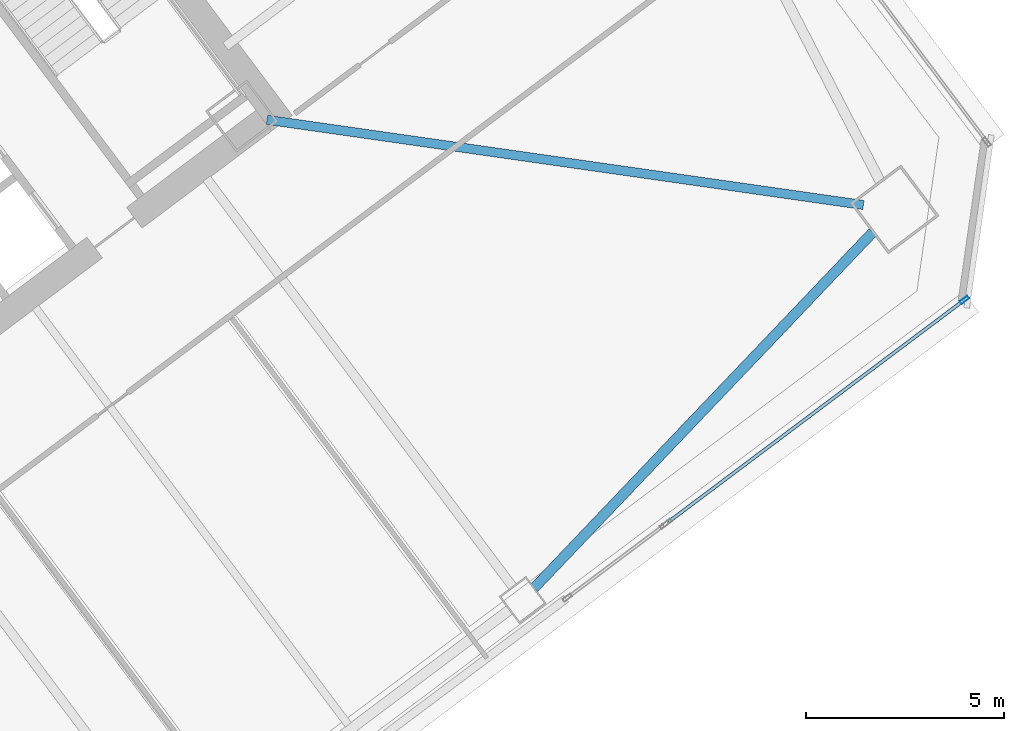
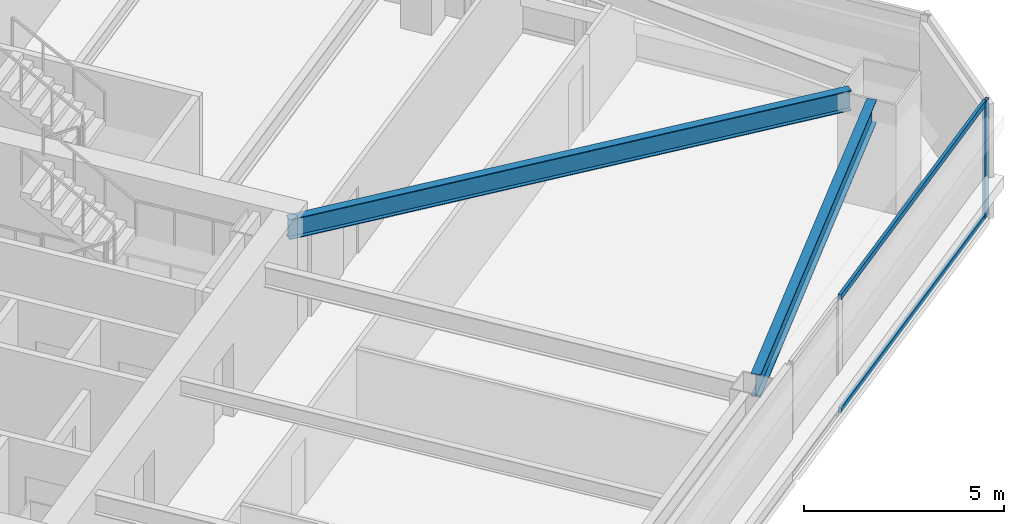
# One storey, part 24 of 46: 3 members, 2 beams, 1 element without a shape of its own.
"""IFC4 building model written with IfcOpenShell, lengths in metres."""

from ifc_helpers import new_model, si_unit, direction, frame, origin, origin_2d, place, context, subcontext, project, spatial, hollow_rectangle, i_section, extrude, material, material_profile, profile_set, type_object, element, aggregate, save


model = new_model("IFC4")

# Units and contexts
model_context = context("Model", 3, precision=1e-05, world=origin(), true_north=direction((0.0, 1.0)))
body_context = subcontext(model_context, "Body", "Model", "MODEL_VIEW")
ifc_project = project(units=[si_unit("LENGTHUNIT", "METRE"), si_unit("AREAUNIT", "SQUARE_METRE"), si_unit("VOLUMEUNIT", "CUBIC_METRE"), si_unit("PLANEANGLEUNIT", "RADIAN"), si_unit("MASSUNIT", "GRAM", prefix="KILO")], contexts=[model_context])

# Site, building, storey
site_placement = place(None, origin())
site = spatial("IfcSite", under=ifc_project, at=site_placement, CompositionType="ELEMENT")
building_placement = place(site_placement, origin())
building = spatial("IfcBuilding", under=site, at=building_placement, Name="Tashvorn Skyway Center", CompositionType="ELEMENT")
storey_placement = place(building_placement, frame((0.0, 0.0, 31.699951171875)))
storey = spatial("IfcBuildingStorey", under=building, at=storey_placement, Name="L07", CompositionType="ELEMENT", Elevation=31.699951171875)

# Beams
ifc_material_1 = material(Name="Steel ASTM A992 Grade 50", Category="steel")
ifc_material_profile_1 = material_profile(ifc_material_1, i_section(OverallWidth=0.22998046875, OverallDepth=0.616943359375, WebThickness=0.01318359375, FlangeThickness=0.022216796875, at=origin_2d()), Name="W24X94")
ifc_profile_set_1 = profile_set([ifc_material_profile_1], Name="Steel ASTM A992 Grade 50")
beam_type_1 = type_object("IfcBeamType", Name="BM-BEAM-W24X94", PredefinedType="BEAM", material=ifc_profile_set_1)
beam_1_placement = place(storey_placement, frame((139.532958984375, 28.3525390625, 3.04150390625), z_axis=(-0.989950458816, 0.141414599991, 0.0), x_axis=(-0.141414599991, -0.989950458816, 0.0)))
element("IfcBeam", 1, at=beam_1_placement, inside=storey, type_object=beam_type_1, Name="Tower 2 L07 Primary Floor Girder MC-SE", PredefinedType="BEAM", context=body_context, shape_type="SweptSolid", body=[
    extrude(i_section(OverallWidth=0.22998046875, OverallDepth=0.616943359375, WebThickness=0.01318359375, FlangeThickness=0.022216796875, at=origin_2d()), origin(), (0.0, 0.0, 1.0), 15.177001953125),
])
ifc_material_profile_2 = material_profile(ifc_material_1, i_section(OverallWidth=0.256103515625, OverallDepth=0.693115234375, WebThickness=0.014404296875, FlangeThickness=0.023681640625, at=origin_2d()), Name="W27X114")
ifc_profile_set_2 = profile_set([ifc_material_profile_2], Name="Steel ASTM A992 Grade 50")
beam_type_2 = type_object("IfcBeamType", Name="BM-SPANDREL-W27X114", PredefinedType="SPANDREL", material=ifc_profile_set_2)
beam_2_placement = place(storey_placement, frame((131.23974609375, 18.7041015625, 3.003662109375), z_axis=(0.689589637236, 0.724200339835, 0.0), x_axis=(-0.724200339835, 0.689589637236, 0.0)))
element("IfcBeam", 2, at=beam_2_placement, inside=storey, type_object=beam_type_2, Name="Tower 2 L07 Spandrel Beam 03", PredefinedType="SPANDREL", context=body_context, shape_type="SweptSolid", body=[
    extrude(i_section(OverallWidth=0.256103515625, OverallDepth=0.693115234375, WebThickness=0.014404296875, FlangeThickness=0.023681640625, at=origin_2d()), origin(), (0.0, 0.0, 1.0), 12.37255859375),
])

# Curtain wall, members
ifc_material_2 = material(Name="Thermally broken bronze-anodized aluminium 6063-T6", Category="aluminium")
curtain_wall_type = type_object("IfcCurtainWallType", Name="CW-CW-Z1", PredefinedType="NOTDEFINED", material=ifc_material_2)
curtain_wall_placement = place(storey_placement, origin())
curtain_wall = element("IfcCurtainWall", 3, at=curtain_wall_placement, inside=storey, type_object=curtain_wall_type, Name="Tower 2 L07 South Unitised Curtain Wall Glazing Group 1", PredefinedType="NOTDEFINED")
ifc_material_profile_3 = material_profile(ifc_material_2, hollow_rectangle(XDim=0.0849609375, YDim=0.239990234375, WallThickness=0.0048828125, at=origin_2d()), Name="ALU-MULL-85x240")
ifc_profile_set_3 = profile_set([ifc_material_profile_3], Name="Thermally broken bronze-anodized aluminium 6063-T6")
member_type_1 = type_object("IfcMemberType", Name="CWM-CW-Z1", PredefinedType="MULLION", material=ifc_profile_set_3)
member_1_placement = place(storey_placement, frame((142.077880859375, 25.95849609375, 0.0), z_axis=(0.0, 0.0, 1.0), x_axis=(0.600000000002, -0.799999999998, 0.0)))
member_1 = element("IfcMember", 4, at=member_1_placement, type_object=member_type_1, Name="CW-Z1 mullion 1", PredefinedType="MULLION", context=body_context, shape_type="SweptSolid", body=[
    extrude(hollow_rectangle(XDim=0.0849609375, YDim=0.239990234375, WallThickness=0.0048828125, at=origin_2d()), origin(), (0.0, 0.0, 1.0), 3.550048828125),
])
ifc_material_profile_4 = material_profile(ifc_material_2, hollow_rectangle(XDim=0.0849609375, YDim=0.1650390625, WallThickness=0.0048828125, at=origin_2d()), Name="ALU-TRAN-85x165")
ifc_profile_set_4 = profile_set([ifc_material_profile_4], Name="Thermally broken bronze-anodized aluminium 6063-T6")
member_type_2 = type_object("IfcMemberType", Name="CWT-CW-Z1", PredefinedType="USERDEFINED", material=ifc_profile_set_4)
member_2_placement = place(storey_placement, frame((142.0439453125, 25.93310546875, 0.04248046875), z_axis=(-0.8, -0.6, 0.0), x_axis=(0.6, -0.8, 0.0)))
member_2 = element("IfcMember", 5, at=member_2_placement, type_object=member_type_2, Name="CW-Z1 transom 1.1", ObjectType="TRANSOM", PredefinedType="USERDEFINED", context=body_context, shape_type="SweptSolid", body=[
    extrude(hollow_rectangle(XDim=0.0849609375, YDim=0.1650390625, WallThickness=0.0048828125, at=origin_2d()), origin(), (0.0, 0.0, 1.0), 9.27001953125),
])
member_3_placement = place(storey_placement, frame((142.0439453125, 25.93310546875, 3.507568359375), z_axis=(-0.8, -0.6, 0.0), x_axis=(0.6, -0.8, 0.0)))
member_3 = element("IfcMember", 6, at=member_3_placement, type_object=member_type_2, Name="CW-Z1 transom 1.2", ObjectType="TRANSOM", PredefinedType="USERDEFINED", context=body_context, shape_type="SweptSolid", body=[
    extrude(hollow_rectangle(XDim=0.0849609375, YDim=0.1650390625, WallThickness=0.0048828125, at=origin_2d()), origin(), (0.0, 0.0, 1.0), 9.27001953125),
])
aggregate(curtain_wall, [member_1, member_2, member_3])

save(model, "model.ifc")
